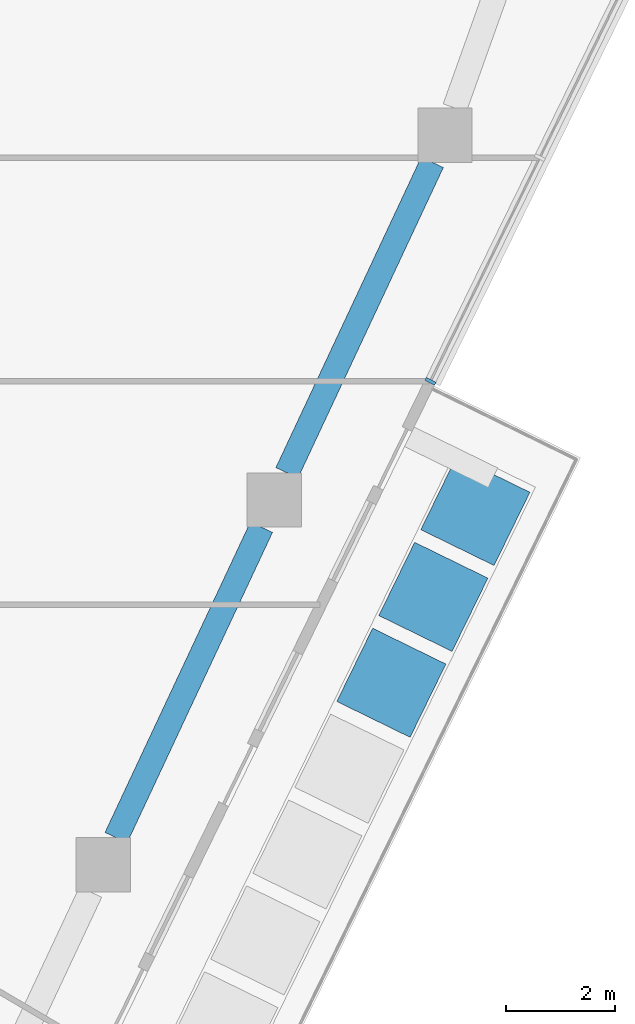
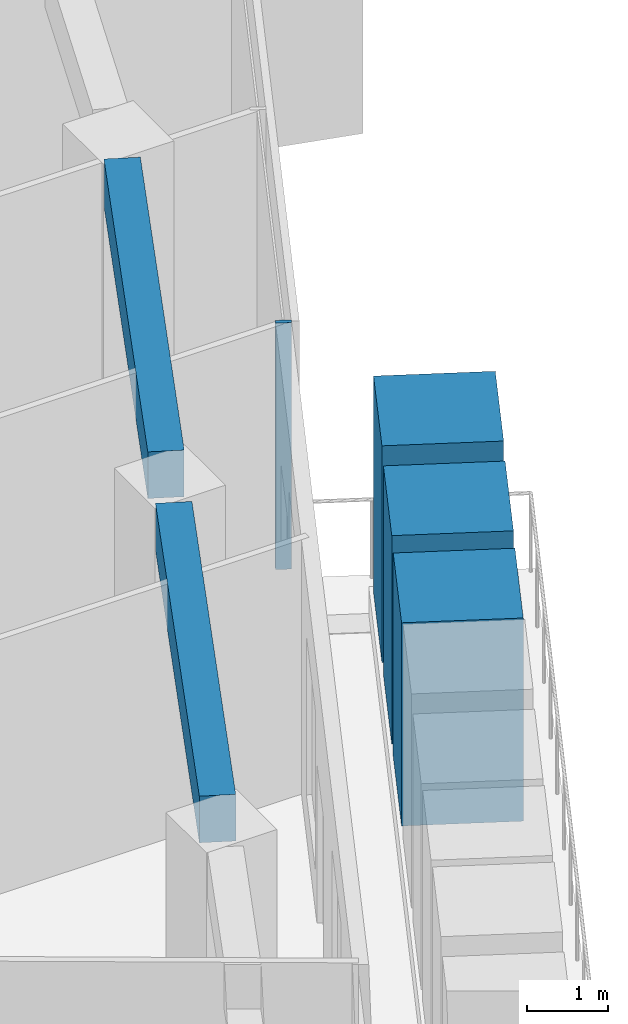
# One storey, part 5 of 23: 4 members, 2 beams, 1 element without a shape of its own.
"""IFC4 building model written with IfcOpenShell, lengths in metres."""

from ifc_helpers import new_model, si_unit, direction, frame, origin, origin_2d, place, context, subcontext, project, spatial, rectangle, extrude, material, layer, layer_set, material_profile, profile_set, type_object, element, aggregate, save


model = new_model("IFC4")

# Units and contexts
model_context = context("Model", 3, precision=1e-05, world=origin(), true_north=direction((0.0, 1.0)))
body_context = subcontext(model_context, "Body", "Model", "MODEL_VIEW")
ifc_project = project(units=[si_unit("LENGTHUNIT", "METRE"), si_unit("AREAUNIT", "SQUARE_METRE"), si_unit("VOLUMEUNIT", "CUBIC_METRE"), si_unit("PLANEANGLEUNIT", "RADIAN"), si_unit("MASSUNIT", "GRAM", prefix="KILO")], contexts=[model_context])

# Site, building, storey
site_placement = place(None, origin())
site = spatial("IfcSite", under=ifc_project, at=site_placement, CompositionType="ELEMENT")
building_placement = place(site_placement, origin())
building = spatial("IfcBuilding", under=site, at=building_placement, Name="Dongbaek Canopy Tower", CompositionType="ELEMENT")
storey_placement = place(building_placement, frame((0.0, 0.0, 336.199951171875)))
storey = spatial("IfcBuildingStorey", under=building, at=storey_placement, Name="L72", CompositionType="ELEMENT", Elevation=336.199951171875)

# Curtain wall, member
ifc_material_1 = material(Name="Aluminium 6063-T6 pale anodised", Category="aluminium")
ifc_layer = layer(ifc_material_1, 0.199951171875)
ifc_layer_set = layer_set([ifc_layer], Name="CW-1 unitised tower curtain wall")
curtain_wall_type = type_object("IfcCurtainWallType", Name="CW-1 unitised tower curtain wall", PredefinedType="NOTDEFINED", material=ifc_layer_set)
curtain_wall_placement = place(storey_placement, origin())
curtain_wall = element("IfcCurtainWall", 1, at=curtain_wall_placement, inside=storey, type_object=curtain_wall_type, Name="CW-1 curtain wall F5.1", PredefinedType="NOTDEFINED")
ifc_material_2 = material(Name="Aluminium 6063-T6 pale anodised", Category="aluminium")
ifc_material_profile_1 = material_profile(ifc_material_2, rectangle(XDim=0.199951171875, YDim=0.06005859375, at=origin_2d()), Name="CW-1 mullion 60 x 200")
ifc_profile_set_1 = profile_set([ifc_material_profile_1], Name="Aluminium 6063-T6 pale anodised")
member_type_1 = type_object("IfcMemberType", Name="CW-1 mullion 60 x 200", PredefinedType="MULLION", material=ifc_profile_set_1)
member_1_placement = place(storey_placement, frame((28.08251953125, -4.6962890625, 0.1201171875), z_axis=(0.0, 0.0, 1.0), x_axis=(0.89832218457, -0.439337288093, 0.0)))
member_1 = element("IfcMember", 2, at=member_1_placement, type_object=member_type_1, Name="CW-1 mullion F5.1.1", PredefinedType="MULLION", context=body_context, shape_type="SweptSolid", body=[
    extrude(rectangle(XDim=0.199951171875, YDim=0.06005859375, at=origin_2d()), origin(), (0.0, 0.0, 1.0), 3.699951171875),
])
aggregate(curtain_wall, [member_1])

# Beams
ifc_material_3 = material(Name="Concrete C60", Category="concrete")
ifc_material_profile_2 = material_profile(ifc_material_3, rectangle(XDim=0.449951171875, YDim=0.699951171875, at=origin_2d()), Name="RC EDGE BEAM 450x700 C60")
ifc_profile_set_2 = profile_set([ifc_material_profile_2], Name="Concrete C60")
beam_type = type_object("IfcBeamType", Name="RC EDGE BEAM 450x700 C60", PredefinedType="BEAM", material=ifc_profile_set_2)
beam_1_placement = place(storey_placement, frame((28.116943359375, -0.669921875, 3.469970703125), z_axis=(-0.42401310583, -0.905656052861, 0.0), x_axis=(0.905656052861, -0.42401310583, 0.0)))
element("IfcBeam", 3, at=beam_1_placement, inside=storey, type_object=beam_type, Name="EDGEBEAM:L72:22", PredefinedType="BEAM", context=body_context, shape_type="SweptSolid", body=[
    extrude(rectangle(XDim=0.449951171875, YDim=0.699951171875, at=origin_2d()), origin(), (0.0, 0.0, 1.0), 6.3037109375),
])
beam_2_placement = place(storey_placement, frame((24.975830078125, -7.37890625, 3.469970703125), z_axis=(-0.424108398663, -0.905611432229, 0.0), x_axis=(0.905611432229, -0.424108398663, 0.0)))
element("IfcBeam", 4, at=beam_2_placement, inside=storey, type_object=beam_type, Name="EDGEBEAM:L72:23", PredefinedType="BEAM", context=body_context, shape_type="SweptSolid", body=[
    extrude(rectangle(XDim=0.449951171875, YDim=0.699951171875, at=origin_2d()), origin(), (0.0, 0.0, 1.0), 6.303955078125),
])

# Members
ifc_material_4 = material(Name="Concrete C40/50 planter mass with planting", Category="concrete")
ifc_material_profile_3 = material_profile(ifc_material_4, rectangle(XDim=1.5, YDim=1.5, at=origin_2d()), Name="Terrace PLANTER shrub mass 1500 x 1500")
ifc_profile_set_3 = profile_set([ifc_material_profile_3], Name="Concrete C40/50 planter mass with planting")
member_type_2 = type_object("IfcMemberType", Name="Terrace PLANTER shrub mass 1500 x 1500", PredefinedType="USERDEFINED", material=ifc_profile_set_3)
member_2_placement = place(storey_placement, frame((27.3642578125, -10.239501953125, 0.420166015625), z_axis=(0.0, 0.0, 1.0), x_axis=(0.89832218457, -0.439337288093, 0.0)))
element("IfcMember", 5, at=member_2_placement, inside=storey, type_object=member_type_2, Name="Planter shrubs L72 5.10", ObjectType="PLANTER", PredefinedType="USERDEFINED", context=body_context, shape_type="SweptSolid", body=[
    extrude(rectangle(XDim=1.5, YDim=1.5, at=origin_2d()), origin(), (0.0, 0.0, 1.0), 3.0498046875),
])
member_3_placement = place(storey_placement, frame((28.13671875, -8.66015625, 0.420166015625), z_axis=(0.0, 0.0, 1.0), x_axis=(0.89832218457, -0.439337288093, 0.0)))
element("IfcMember", 6, at=member_3_placement, inside=storey, type_object=member_type_2, Name="Planter shrubs L72 5.11", ObjectType="PLANTER", PredefinedType="USERDEFINED", context=body_context, shape_type="SweptSolid", body=[
    extrude(rectangle(XDim=1.5, YDim=1.5, at=origin_2d()), origin(), (0.0, 0.0, 1.0), 3.1298828125),
])
member_4_placement = place(storey_placement, frame((28.908935546875, -7.080810546875, 0.420166015625), z_axis=(0.0, 0.0, 1.0), x_axis=(0.89832218457, -0.439337288093, 0.0)))
element("IfcMember", 7, at=member_4_placement, inside=storey, type_object=member_type_2, Name="Planter shrubs L72 5.12", ObjectType="PLANTER", PredefinedType="USERDEFINED", context=body_context, shape_type="SweptSolid", body=[
    extrude(rectangle(XDim=1.5, YDim=1.5, at=origin_2d()), origin(), (0.0, 0.0, 1.0), 3.25),
])

save(model, "model.ifc")
